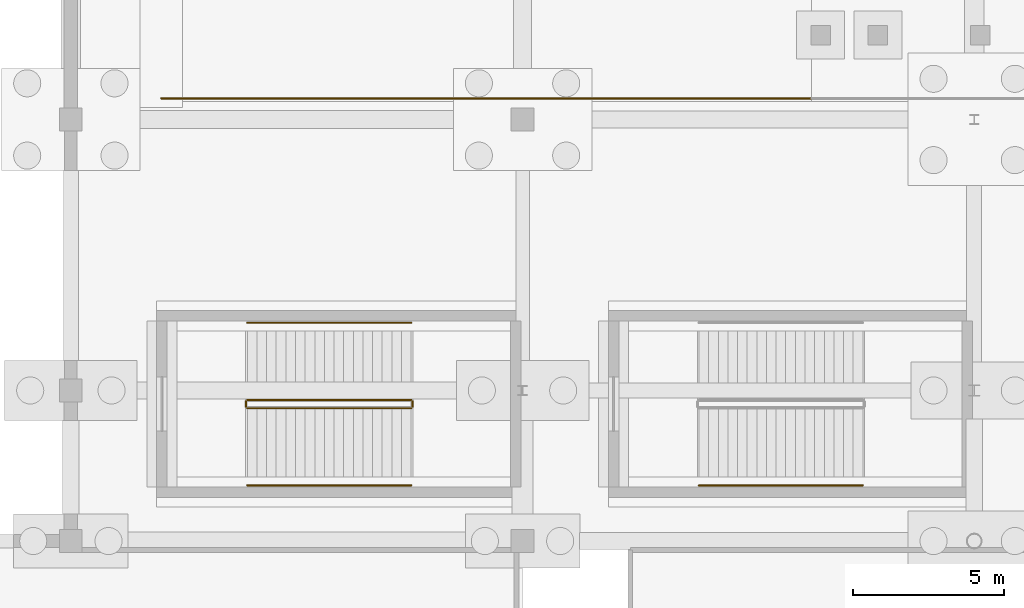
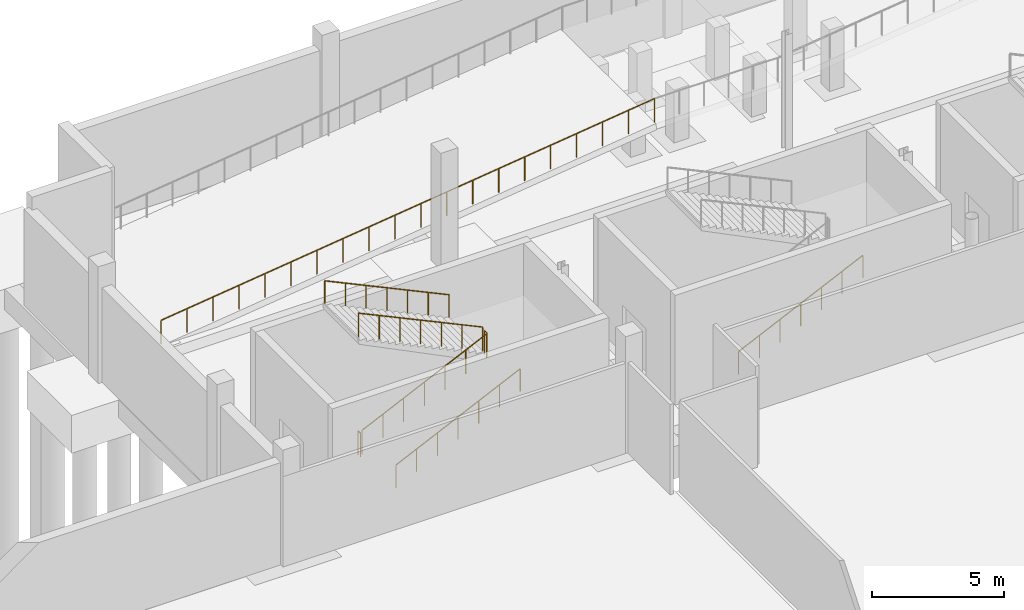
# One storey, part 51 of 58: 8 railings.
"""IFC4 building model written with IfcOpenShell, lengths in metres."""

from ifc_helpers import new_model, si_unit, direction, frame, origin, origin_2d, place, context, subcontext, project, spatial, circle, extrude, material, type_object, element, save


model = new_model("IFC4")

# Units and contexts
model_context = context("Model", 3, precision=1e-05, world=origin(), true_north=direction((0.0, 1.0)))
body_context = subcontext(model_context, "Body", "Model", "MODEL_VIEW")
ifc_project = project(units=[si_unit("LENGTHUNIT", "METRE"), si_unit("AREAUNIT", "SQUARE_METRE"), si_unit("VOLUMEUNIT", "CUBIC_METRE"), si_unit("PLANEANGLEUNIT", "RADIAN"), si_unit("MASSUNIT", "GRAM", prefix="KILO")], contexts=[model_context])

# Site, building, storey
site_placement = place(None, origin())
site = spatial("IfcSite", under=ifc_project, at=site_placement, CompositionType="ELEMENT")
building_placement = place(site_placement, origin())
building = spatial("IfcBuilding", under=site, at=building_placement, Name="Qamarlyn Nura Convention Centre", CompositionType="ELEMENT")
storey_placement = place(building_placement, frame((0.0, 0.0, -5.39990234375)))
storey = spatial("IfcBuildingStorey", under=building, at=storey_placement, Name="B01", CompositionType="ELEMENT", Elevation=-5.39990234375)

# Railings
ifc_material = material(Name="Marine Grade 316 stainless steel", Category="steel")
railing_type_1 = type_object("IfcRailingType", Name="GRD-STAIR-112", PredefinedType="BALUSTRADE", material=ifc_material)
railing_1_placement = place(storey_placement, frame((20.860107421875, 107.409912109375, 0.14990234375)))
element("IfcRailing", 1, at=railing_1_placement, inside=storey, type_object=railing_type_1, Name="B01 ST-01 stair guard 1", PredefinedType="BALUSTRADE", context=body_context, shape_type="SweptSolid", body=[
    extrude(circle(Radius=0.02392578125, at=origin_2d()), frame((0.0, 0.0, 1.09619140625), z_axis=(0.90545405566, 0.0, 0.424444287379), x_axis=(0.0, 1.0, 0.0)), (0.0, 0.0, 1.0), 6.008056640625),
    extrude(circle(Radius=0.02099609375, at=origin_2d()), origin(), (0.0, 0.0, 1.0), 1.070068359375),
    extrude(circle(Radius=0.02099609375, at=origin_2d()), frame((0.90673828125, 0.0, 0.425048828125)), (0.0, 0.0, 1.0), 1.070068359375),
    extrude(circle(Radius=0.02099609375, at=origin_2d()), frame((1.813232421875, 0.0, 0.85009765625)), (0.0, 0.0, 1.0), 1.070068359375),
    extrude(circle(Radius=0.02099609375, at=origin_2d()), frame((2.719970703125, 0.0, 1.27490234375)), (0.0, 0.0, 1.0), 1.070068359375),
    extrude(circle(Radius=0.02099609375, at=origin_2d()), frame((3.626708984375, 0.0, 1.699951171875)), (0.0, 0.0, 1.0), 1.070068359375),
    extrude(circle(Radius=0.02099609375, at=origin_2d()), frame((4.533203125, 0.0, 2.125)), (0.0, 0.0, 1.0), 1.070068359375),
    extrude(circle(Radius=0.02099609375, at=origin_2d()), frame((5.43994140625, 0.0, 2.550048828125)), (0.0, 0.0, 1.0), 1.070068359375),
])
railing_2_placement = place(storey_placement, frame((26.35009765625, 107.4599609375, 2.699951171875)))
element("IfcRailing", 2, at=railing_2_placement, inside=storey, type_object=railing_type_1, Name="B01 ST-01 stair guard 2", PredefinedType="BALUSTRADE", context=body_context, shape_type="SweptSolid", body=[
    extrude(circle(Radius=0.02392578125, at=origin_2d()), frame((0.0, 0.0, 1.09619140625), z_axis=(0.0, 1.0, 0.0), x_axis=(-1.0, 0.0, 0.0)), (0.0, 0.0, 1.0), 0.179931640625),
    extrude(circle(Radius=0.02099609375, at=origin_2d()), origin(), (0.0, 0.0, 1.0), 1.070068359375),
    extrude(circle(Radius=0.02099609375, at=origin_2d()), frame((0.0, 0.179931640625, 0.0)), (0.0, 0.0, 1.0), 1.070068359375),
])
railing_3_placement = place(storey_placement, frame((26.300048828125, 107.68994140625, 2.849853515625)))
element("IfcRailing", 3, at=railing_3_placement, inside=storey, type_object=railing_type_1, Name="B01 ST-01 stair guard 3", PredefinedType="BALUSTRADE", context=body_context, shape_type="SweptSolid", body=[
    extrude(circle(Radius=0.02392578125, at=origin_2d()), frame((0.0, 0.0, 1.09619140625), z_axis=(-0.90545405566, 0.0, 0.424444287379), x_axis=(0.0, -1.0, 0.0)), (0.0, 0.0, 1.0), 6.008056640625),
    extrude(circle(Radius=0.02099609375, at=origin_2d()), origin(), (0.0, 0.0, 1.0), 1.070068359375),
    extrude(circle(Radius=0.02099609375, at=origin_2d()), frame((-0.90673828125, 0.0, 0.425048828125)), (0.0, 0.0, 1.0), 1.070068359375),
    extrude(circle(Radius=0.02099609375, at=origin_2d()), frame((-1.813232421875, 0.0, 0.85009765625)), (0.0, 0.0, 1.0), 1.070068359375),
    extrude(circle(Radius=0.02099609375, at=origin_2d()), frame((-2.719970703125, 0.0, 1.27490234375)), (0.0, 0.0, 1.0), 1.070068359375),
    extrude(circle(Radius=0.02099609375, at=origin_2d()), frame((-3.626708984375, 0.0, 1.699951171875)), (0.0, 0.0, 1.0), 1.070068359375),
    extrude(circle(Radius=0.02099609375, at=origin_2d()), frame((-4.533203125, 0.0, 2.125)), (0.0, 0.0, 1.0), 1.070068359375),
    extrude(circle(Radius=0.02099609375, at=origin_2d()), frame((-5.43994140625, 0.0, 2.550048828125)), (0.0, 0.0, 1.0), 1.070068359375),
])
railing_4_placement = place(storey_placement, frame((20.81005859375, 107.4599609375, 0.0)))
element("IfcRailing", 4, at=railing_4_placement, inside=storey, type_object=railing_type_1, Name="B01 ST-01 stair guard 4", PredefinedType="BALUSTRADE", context=body_context, shape_type="SweptSolid", body=[
    extrude(circle(Radius=0.02392578125, at=origin_2d()), frame((0.0, 0.0, 1.09619140625), z_axis=(0.0, 1.0, 0.0), x_axis=(-1.0, 0.0, 0.0)), (0.0, 0.0, 1.0), 0.179931640625),
    extrude(circle(Radius=0.02099609375, at=origin_2d()), origin(), (0.0, 0.0, 1.0), 1.070068359375),
    extrude(circle(Radius=0.02099609375, at=origin_2d()), frame((0.0, 0.179931640625, 0.0)), (0.0, 0.0, 1.0), 1.070068359375),
])
railing_5_placement = place(storey_placement, frame((18.0, 117.699951171875, 0.0)))
element("IfcRailing", 5, at=railing_5_placement, inside=storey, type_object=railing_type_1, Name="Car park ramp side guard 1-1", PredefinedType="BALUSTRADE", context=body_context, shape_type="SweptSolid", body=[
    extrude(circle(Radius=0.02392578125, at=origin_2d()), frame((0.0, 0.0, 1.09619140625), z_axis=(0.992278221801, 0.0, 0.124031973856), x_axis=(0.0, 1.0, 0.0)), (0.0, 0.0, 1.0), 21.76806640625),
    extrude(circle(Radius=0.02099609375, at=origin_2d()), origin(), (0.0, 0.0, 1.0), 1.070068359375),
    extrude(circle(Radius=0.02099609375, at=origin_2d()), frame((1.136962890625, 0.0, 0.14208984375)), (0.0, 0.0, 1.0), 1.070068359375),
    extrude(circle(Radius=0.02099609375, at=origin_2d()), frame((2.273681640625, 0.0, 0.2841796875)), (0.0, 0.0, 1.0), 1.070068359375),
    extrude(circle(Radius=0.02099609375, at=origin_2d()), frame((3.41064453125, 0.0, 0.42626953125)), (0.0, 0.0, 1.0), 1.070068359375),
    extrude(circle(Radius=0.02099609375, at=origin_2d()), frame((4.54736328125, 0.0, 0.568359375)), (0.0, 0.0, 1.0), 1.070068359375),
    extrude(circle(Radius=0.02099609375, at=origin_2d()), frame((5.684326171875, 0.0, 0.71044921875)), (0.0, 0.0, 1.0), 1.070068359375),
    extrude(circle(Radius=0.02099609375, at=origin_2d()), frame((6.821044921875, 0.0, 0.8525390625)), (0.0, 0.0, 1.0), 1.070068359375),
    extrude(circle(Radius=0.02099609375, at=origin_2d()), frame((7.9580078125, 0.0, 0.99462890625)), (0.0, 0.0, 1.0), 1.070068359375),
    extrude(circle(Radius=0.02099609375, at=origin_2d()), frame((9.0947265625, 0.0, 1.13671875)), (0.0, 0.0, 1.0), 1.070068359375),
    extrude(circle(Radius=0.02099609375, at=origin_2d()), frame((10.231689453125, 0.0, 1.27880859375)), (0.0, 0.0, 1.0), 1.070068359375),
    extrude(circle(Radius=0.02099609375, at=origin_2d()), frame((11.368408203125, 0.0, 1.421142578125)), (0.0, 0.0, 1.0), 1.070068359375),
    extrude(circle(Radius=0.02099609375, at=origin_2d()), frame((12.50537109375, 0.0, 1.563232421875)), (0.0, 0.0, 1.0), 1.070068359375),
    extrude(circle(Radius=0.02099609375, at=origin_2d()), frame((13.64208984375, 0.0, 1.705322265625)), (0.0, 0.0, 1.0), 1.070068359375),
    extrude(circle(Radius=0.02099609375, at=origin_2d()), frame((14.779052734375, 0.0, 1.847412109375)), (0.0, 0.0, 1.0), 1.070068359375),
    extrude(circle(Radius=0.02099609375, at=origin_2d()), frame((15.915771484375, 0.0, 1.989501953125)), (0.0, 0.0, 1.0), 1.070068359375),
    extrude(circle(Radius=0.02099609375, at=origin_2d()), frame((17.052734375, 0.0, 2.131591796875)), (0.0, 0.0, 1.0), 1.070068359375),
    extrude(circle(Radius=0.02099609375, at=origin_2d()), frame((18.189453125, 0.0, 2.273681640625)), (0.0, 0.0, 1.0), 1.070068359375),
    extrude(circle(Radius=0.02099609375, at=origin_2d()), frame((19.326416015625, 0.0, 2.415771484375)), (0.0, 0.0, 1.0), 1.070068359375),
    extrude(circle(Radius=0.02099609375, at=origin_2d()), frame((20.463134765625, 0.0, 2.557861328125)), (0.0, 0.0, 1.0), 1.070068359375),
    extrude(circle(Radius=0.02099609375, at=origin_2d()), frame((21.60009765625, 0.0, 2.699951171875)), (0.0, 0.0, 1.0), 1.070068359375),
])
railing_type_2 = type_object("IfcRailingType", Name="HRL-STAIR-090", PredefinedType="HANDRAIL", material=ifc_material)
railing_6_placement = place(storey_placement, frame((20.860107421875, 104.85009765625, 0.30224609375)))
element("IfcRailing", 6, at=railing_6_placement, inside=storey, type_object=railing_type_2, Name="B01 ST-01 stair handrail 1", PredefinedType="HANDRAIL", context=body_context, shape_type="SweptSolid", body=[
    extrude(circle(Radius=0.02392578125, at=origin_2d()), frame((0.0, 0.0, 0.88818359375), z_axis=(0.90545405566, 0.0, 0.424444287379), x_axis=(0.0, 1.0, 0.0)), (0.0, 0.0, 1.0), 6.008056640625),
    extrude(circle(Radius=0.02099609375, at=origin_2d()), frame((0.0, 0.0, -0.155029296875)), (0.0, 0.0, 1.0), 1.01708984375),
    extrude(circle(Radius=0.02099609375, at=origin_2d()), frame((0.90673828125, 0.0, 0.27001953125)), (0.0, 0.0, 1.0), 1.01708984375),
    extrude(circle(Radius=0.02099609375, at=origin_2d()), frame((1.813232421875, 0.0, 0.695068359375)), (0.0, 0.0, 1.0), 1.01708984375),
    extrude(circle(Radius=0.02099609375, at=origin_2d()), frame((2.719970703125, 0.0, 1.1201171875)), (0.0, 0.0, 1.0), 1.01708984375),
    extrude(circle(Radius=0.02099609375, at=origin_2d()), frame((3.626708984375, 0.0, 1.544921875)), (0.0, 0.0, 1.0), 1.01708984375),
    extrude(circle(Radius=0.02099609375, at=origin_2d()), frame((4.533203125, 0.0, 1.969970703125)), (0.0, 0.0, 1.0), 1.01708984375),
    extrude(circle(Radius=0.02099609375, at=origin_2d()), frame((5.43994140625, 0.0, 2.39501953125)), (0.0, 0.0, 1.0), 1.01708984375),
])
railing_7_placement = place(storey_placement, frame((26.300048828125, 110.25, 3.002197265625)))
element("IfcRailing", 7, at=railing_7_placement, inside=storey, type_object=railing_type_2, Name="B01 ST-01 stair handrail 2", PredefinedType="HANDRAIL", context=body_context, shape_type="SweptSolid", body=[
    extrude(circle(Radius=0.02392578125, at=origin_2d()), frame((0.0, 0.0, 0.88818359375), z_axis=(-0.90545405566, 0.0, 0.424444287379), x_axis=(0.0, -1.0, 0.0)), (0.0, 0.0, 1.0), 6.008056640625),
    extrude(circle(Radius=0.02099609375, at=origin_2d()), frame((0.0, 0.0, -0.155029296875)), (0.0, 0.0, 1.0), 1.01708984375),
    extrude(circle(Radius=0.02099609375, at=origin_2d()), frame((-0.90673828125, 0.0, 0.27001953125)), (0.0, 0.0, 1.0), 1.01708984375),
    extrude(circle(Radius=0.02099609375, at=origin_2d()), frame((-1.813232421875, 0.0, 0.695068359375)), (0.0, 0.0, 1.0), 1.01708984375),
    extrude(circle(Radius=0.02099609375, at=origin_2d()), frame((-2.719970703125, 0.0, 1.1201171875)), (0.0, 0.0, 1.0), 1.01708984375),
    extrude(circle(Radius=0.02099609375, at=origin_2d()), frame((-3.626708984375, 0.0, 1.544921875)), (0.0, 0.0, 1.0), 1.01708984375),
    extrude(circle(Radius=0.02099609375, at=origin_2d()), frame((-4.533203125, 0.0, 1.969970703125)), (0.0, 0.0, 1.0), 1.01708984375),
    extrude(circle(Radius=0.02099609375, at=origin_2d()), frame((-5.43994140625, 0.0, 2.39501953125)), (0.0, 0.0, 1.0), 1.01708984375),
])
railing_8_placement = place(storey_placement, frame((35.860107421875, 104.85009765625, 0.30224609375)))
element("IfcRailing", 8, at=railing_8_placement, inside=storey, type_object=railing_type_2, Name="B01 ST-02 stair handrail 1", PredefinedType="HANDRAIL", context=body_context, shape_type="SweptSolid", body=[
    extrude(circle(Radius=0.02392578125, at=origin_2d()), frame((0.0, 0.0, 0.88818359375), z_axis=(0.90545405566, 0.0, 0.424444287379), x_axis=(0.0, 1.0, 0.0)), (0.0, 0.0, 1.0), 6.008056640625),
    extrude(circle(Radius=0.02099609375, at=origin_2d()), frame((0.0, 0.0, -0.155029296875)), (0.0, 0.0, 1.0), 1.01708984375),
    extrude(circle(Radius=0.02099609375, at=origin_2d()), frame((0.90673828125, 0.0, 0.27001953125)), (0.0, 0.0, 1.0), 1.01708984375),
    extrude(circle(Radius=0.02099609375, at=origin_2d()), frame((1.813232421875, 0.0, 0.695068359375)), (0.0, 0.0, 1.0), 1.01708984375),
    extrude(circle(Radius=0.02099609375, at=origin_2d()), frame((2.719970703125, 0.0, 1.1201171875)), (0.0, 0.0, 1.0), 1.01708984375),
    extrude(circle(Radius=0.02099609375, at=origin_2d()), frame((3.626708984375, 0.0, 1.544921875)), (0.0, 0.0, 1.0), 1.01708984375),
    extrude(circle(Radius=0.02099609375, at=origin_2d()), frame((4.533203125, 0.0, 1.969970703125)), (0.0, 0.0, 1.0), 1.01708984375),
    extrude(circle(Radius=0.02099609375, at=origin_2d()), frame((5.43994140625, 0.0, 2.39501953125)), (0.0, 0.0, 1.0), 1.01708984375),
])

save(model, "model.ifc")
